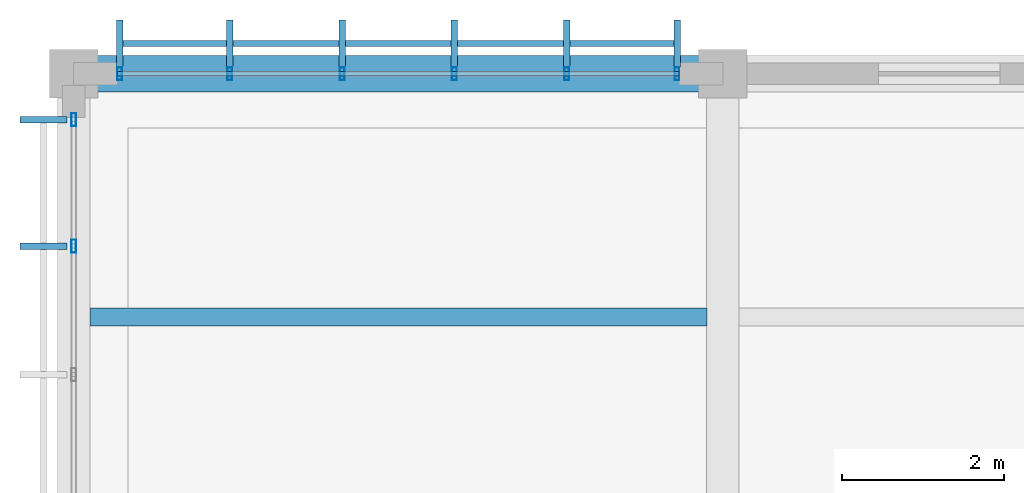
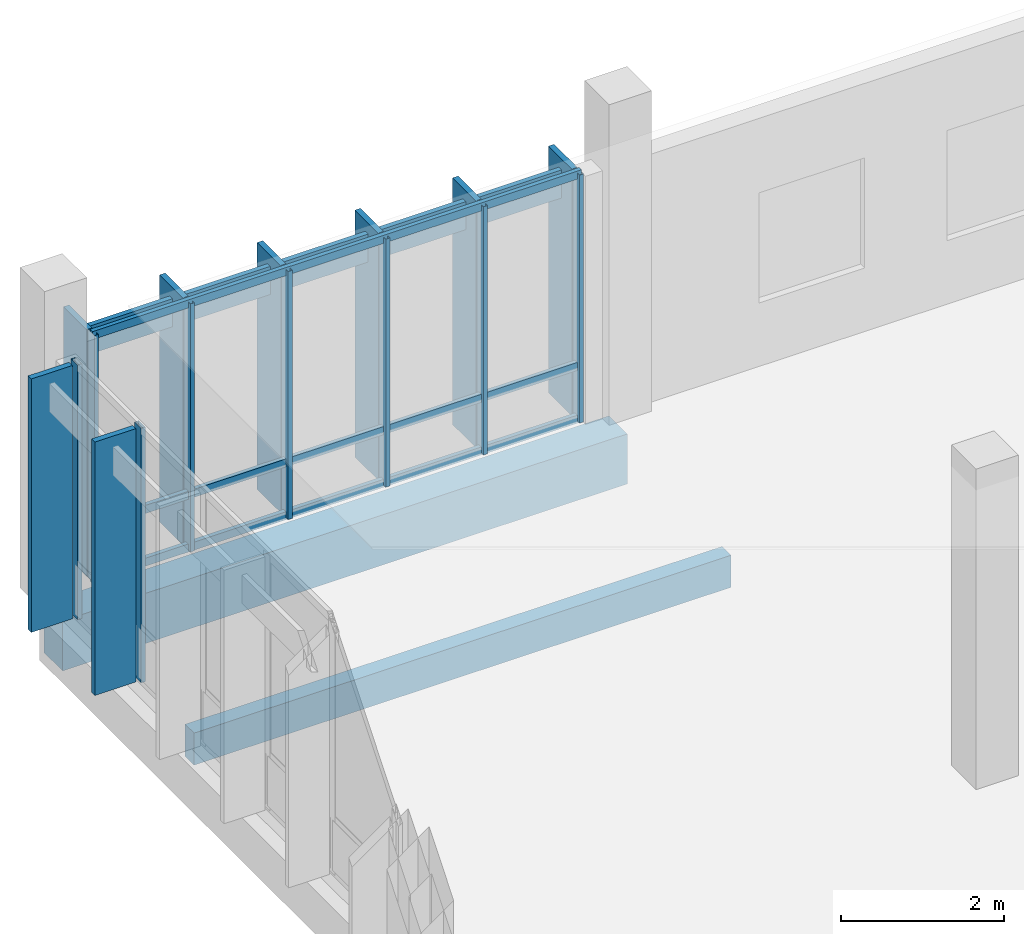
# One storey, part 117 of 177: 20 members, 2 beams, 2 elements without a shape of their own.
"""IFC4 building model written with IfcOpenShell, lengths in metres."""

from ifc_helpers import new_model, si_unit, direction, frame, origin, origin_2d, place, context, subcontext, project, spatial, rectangle, hollow_rectangle, extrude, material, material_profile, profile_set, type_object, element, aggregate, save


model = new_model("IFC4")

# Units and contexts
model_context = context("Model", 3, precision=1e-05, world=origin(), true_north=direction((0.0, 1.0)))
body_context = subcontext(model_context, "Body", "Model", "MODEL_VIEW")
ifc_project = project(units=[si_unit("LENGTHUNIT", "METRE"), si_unit("AREAUNIT", "SQUARE_METRE"), si_unit("VOLUMEUNIT", "CUBIC_METRE"), si_unit("PLANEANGLEUNIT", "RADIAN"), si_unit("MASSUNIT", "GRAM", prefix="KILO")], contexts=[model_context])

# Site, building, storey
site_placement = place(None, origin())
site = spatial("IfcSite", under=ifc_project, at=site_placement, CompositionType="ELEMENT")
building_placement = place(site_placement, origin())
building = spatial("IfcBuilding", under=site, at=building_placement, Name="Chiffa Square Polytechnic", CompositionType="ELEMENT")
storey_placement = place(building_placement, frame((0.0, 0.0, 4.800048828125)))
storey = spatial("IfcBuildingStorey", under=building, at=storey_placement, Name="L01", CompositionType="ELEMENT", Elevation=4.800048828125)

# Beam
ifc_material_1 = material(Name="Concrete C35/45", Category="concrete")
ifc_material_profile_1 = material_profile(ifc_material_1, rectangle(XDim=0.449951171875, YDim=0.75, at=origin_2d()), Name="RC 450x750")
ifc_profile_set_1 = profile_set([ifc_material_profile_1], Name="Concrete C35/45")
beam_type_1 = type_object("IfcBeamType", Name="BM-RC-450X750", PredefinedType="BEAM", material=ifc_profile_set_1)
beam_1_placement = place(storey_placement, frame((0.0, 130.800048828125, -0.655029296875), z_axis=(1.0, 0.0, 0.0), x_axis=(0.0, 1.0, 0.0)))
element("IfcBeam", 1, at=beam_1_placement, inside=storey, type_object=beam_type_1, Name="Primary floor girder BM-V5-L01-X-0000-1308", PredefinedType="BEAM", context=body_context, shape_type="SweptSolid", body=[
    extrude(rectangle(XDim=0.449951171875, YDim=0.75, at=origin_2d()), origin(), (0.0, 0.0, 1.0), 8.0),
])

# Curtain wall, members
ifc_material_2 = material(Name="Aluminium EN AW-6060 T66 and glulam shading", Category="wood")
curtain_wall_type_1 = type_object("IfcCurtainWallType", Name="CW-VERT-450X380", PredefinedType="USERDEFINED", material=ifc_material_2)
curtain_wall_1_placement = place(storey_placement, origin())
curtain_wall_1 = element("IfcCurtainWall", 2, at=curtain_wall_1_placement, inside=storey, type_object=curtain_wall_type_1, Name="Curtain wall CW-V5-L01-210", ObjectType="CURTAIN WALL", PredefinedType="USERDEFINED")
ifc_material_3 = material(Name="Aluminium EN AW-6060 T66", Category="aluminium")
ifc_material_profile_2 = material_profile(ifc_material_3, hollow_rectangle(XDim=0.06005859375, YDim=0.159912109375, WallThickness=0.00390625, at=origin_2d()), Name="ALU 60x160x4")
ifc_profile_set_2 = profile_set([ifc_material_profile_2], Name="Aluminium EN AW-6060 T66")
member_type_1 = type_object("IfcMemberType", Name="CWM-ALU-65X150", PredefinedType="MULLION", material=ifc_profile_set_2)
member_1_placement = place(storey_placement, frame((7.43505859375, 130.800048828125, 0.0), z_axis=(0.0, 0.0, 1.0), x_axis=(1.0, 0.0, 0.0)))
member_1 = element("IfcMember", 3, at=member_1_placement, type_object=member_type_1, Name="Curtain wall mullion CW-V5-L01-210-M00", PredefinedType="MULLION", context=body_context, shape_type="SweptSolid", body=[
    extrude(hollow_rectangle(XDim=0.06005859375, YDim=0.159912109375, WallThickness=0.00390625, at=origin_2d()), origin(), (0.0, 0.0, 1.0), 3.71484375),
])
member_2_placement = place(storey_placement, frame((6.075927734375, 130.800048828125, 0.0), z_axis=(0.0, 0.0, 1.0), x_axis=(1.0, 0.0, 0.0)))
member_2 = element("IfcMember", 4, at=member_2_placement, type_object=member_type_1, Name="Curtain wall mullion CW-V5-L01-210-M01", PredefinedType="MULLION", context=body_context, shape_type="SweptSolid", body=[
    extrude(hollow_rectangle(XDim=0.06005859375, YDim=0.159912109375, WallThickness=0.00390625, at=origin_2d()), origin(), (0.0, 0.0, 1.0), 3.71484375),
])
member_3_placement = place(storey_placement, frame((4.69189453125, 130.800048828125, 0.0), z_axis=(0.0, 0.0, 1.0), x_axis=(1.0, 0.0, 0.0)))
member_3 = element("IfcMember", 5, at=member_3_placement, type_object=member_type_1, Name="Curtain wall mullion CW-V5-L01-210-M02", PredefinedType="MULLION", context=body_context, shape_type="SweptSolid", body=[
    extrude(hollow_rectangle(XDim=0.06005859375, YDim=0.159912109375, WallThickness=0.00390625, at=origin_2d()), origin(), (0.0, 0.0, 1.0), 3.71484375),
])
member_4_placement = place(storey_placement, frame((3.30810546875, 130.800048828125, 0.0), z_axis=(0.0, 0.0, 1.0), x_axis=(1.0, 0.0, 0.0)))
member_4 = element("IfcMember", 6, at=member_4_placement, type_object=member_type_1, Name="Curtain wall mullion CW-V5-L01-210-M03", PredefinedType="MULLION", context=body_context, shape_type="SweptSolid", body=[
    extrude(hollow_rectangle(XDim=0.06005859375, YDim=0.159912109375, WallThickness=0.00390625, at=origin_2d()), origin(), (0.0, 0.0, 1.0), 3.71484375),
])
member_5_placement = place(storey_placement, frame((1.924072265625, 130.800048828125, 0.0), z_axis=(0.0, 0.0, 1.0), x_axis=(1.0, 0.0, 0.0)))
member_5 = element("IfcMember", 7, at=member_5_placement, type_object=member_type_1, Name="Curtain wall mullion CW-V5-L01-210-M04", PredefinedType="MULLION", context=body_context, shape_type="SweptSolid", body=[
    extrude(hollow_rectangle(XDim=0.06005859375, YDim=0.159912109375, WallThickness=0.00390625, at=origin_2d()), origin(), (0.0, 0.0, 1.0), 3.71484375),
])
member_6_placement = place(storey_placement, frame((0.56494140625, 130.800048828125, 0.0), z_axis=(0.0, 0.0, 1.0), x_axis=(1.0, 0.0, 0.0)))
member_6 = element("IfcMember", 8, at=member_6_placement, type_object=member_type_1, Name="Curtain wall mullion CW-V5-L01-210-M05", PredefinedType="MULLION", context=body_context, shape_type="SweptSolid", body=[
    extrude(hollow_rectangle(XDim=0.06005859375, YDim=0.159912109375, WallThickness=0.00390625, at=origin_2d()), origin(), (0.0, 0.0, 1.0), 3.71484375),
])

curtain_wall_type_2 = type_object("IfcCurtainWallType", Name="CW-VERT-300X380", PredefinedType="USERDEFINED", material=ifc_material_2)
curtain_wall_2_placement = place(storey_placement, origin())
curtain_wall_2 = element("IfcCurtainWall", 9, at=curtain_wall_2_placement, inside=storey, type_object=curtain_wall_type_2, Name="Curtain wall CW-V5-L01-211", ObjectType="CURTAIN WALL", PredefinedType="USERDEFINED")
member_7_placement = place(storey_placement, frame((0.0, 130.235107421875, 0.0), z_axis=(0.0, 0.0, 1.0), x_axis=(1.0, 0.0, 0.0)))
member_7 = element("IfcMember", 10, at=member_7_placement, type_object=member_type_1, Name="Curtain wall mullion CW-V5-L01-211-M00", PredefinedType="MULLION", context=body_context, shape_type="SweptSolid", body=[
    extrude(hollow_rectangle(XDim=0.06005859375, YDim=0.159912109375, WallThickness=0.00390625, at=origin_2d()), origin(), (0.0, 0.0, 1.0), 3.81494140625),
])
member_8_placement = place(storey_placement, frame((0.0, 128.676025390625, 0.0), z_axis=(0.0, 0.0, 1.0), x_axis=(1.0, 0.0, 0.0)))
member_8 = element("IfcMember", 11, at=member_8_placement, type_object=member_type_1, Name="Curtain wall mullion CW-V5-L01-211-M01", PredefinedType="MULLION", context=body_context, shape_type="SweptSolid", body=[
    extrude(hollow_rectangle(XDim=0.06005859375, YDim=0.159912109375, WallThickness=0.00390625, at=origin_2d()), origin(), (0.0, 0.0, 1.0), 3.81494140625),
])

# Member
ifc_material_4 = material(Name="Glulam GL28h", Category="wood")
ifc_material_profile_3 = material_profile(ifc_material_4, rectangle(XDim=0.080078125, YDim=0.580078125, at=origin_2d()), Name="GL28h 80x580")
ifc_profile_set_3 = profile_set([ifc_material_profile_3], Name="Glulam GL28h")
member_type_2 = type_object("IfcMemberType", Name="CWM-GL-80X580", PredefinedType="MULLION", material=ifc_profile_set_3)
member_9_placement = place(storey_placement, frame((7.43505859375, 131.172119140625, 0.010009765625), z_axis=(0.0, 0.0, 1.0), x_axis=(-1.0, 0.0, 0.0)))
member_9 = element("IfcMember", 12, at=member_9_placement, type_object=member_type_2, Name="Exterior glulam solar fin CW-V5-L01-210-FN00", PredefinedType="MULLION", context=body_context, shape_type="SweptSolid", body=[
    extrude(rectangle(XDim=0.080078125, YDim=0.580078125, at=origin_2d()), origin(), (0.0, 0.0, 1.0), 3.69482421875),
])

member_10_placement = place(storey_placement, frame((6.075927734375, 131.172119140625, 0.010009765625), z_axis=(0.0, 0.0, 1.0), x_axis=(-1.0, 0.0, 0.0)))
member_10 = element("IfcMember", 13, at=member_10_placement, type_object=member_type_2, Name="Exterior glulam solar fin CW-V5-L01-210-FN01", PredefinedType="MULLION", context=body_context, shape_type="SweptSolid", body=[
    extrude(rectangle(XDim=0.080078125, YDim=0.580078125, at=origin_2d()), origin(), (0.0, 0.0, 1.0), 3.69482421875),
])

member_11_placement = place(storey_placement, frame((4.69189453125, 131.172119140625, 0.010009765625), z_axis=(0.0, 0.0, 1.0), x_axis=(-1.0, 0.0, 0.0)))
member_11 = element("IfcMember", 14, at=member_11_placement, type_object=member_type_2, Name="Exterior glulam solar fin CW-V5-L01-210-FN02", PredefinedType="MULLION", context=body_context, shape_type="SweptSolid", body=[
    extrude(rectangle(XDim=0.080078125, YDim=0.580078125, at=origin_2d()), origin(), (0.0, 0.0, 1.0), 3.69482421875),
])

member_12_placement = place(storey_placement, frame((3.30810546875, 131.172119140625, 0.010009765625), z_axis=(0.0, 0.0, 1.0), x_axis=(-1.0, 0.0, 0.0)))
member_12 = element("IfcMember", 15, at=member_12_placement, type_object=member_type_2, Name="Exterior glulam solar fin CW-V5-L01-210-FN03", PredefinedType="MULLION", context=body_context, shape_type="SweptSolid", body=[
    extrude(rectangle(XDim=0.080078125, YDim=0.580078125, at=origin_2d()), origin(), (0.0, 0.0, 1.0), 3.69482421875),
])

member_13_placement = place(storey_placement, frame((1.924072265625, 131.172119140625, 0.010009765625), z_axis=(0.0, 0.0, 1.0), x_axis=(-1.0, 0.0, 0.0)))
member_13 = element("IfcMember", 16, at=member_13_placement, type_object=member_type_2, Name="Exterior glulam solar fin CW-V5-L01-210-FN04", PredefinedType="MULLION", context=body_context, shape_type="SweptSolid", body=[
    extrude(rectangle(XDim=0.080078125, YDim=0.580078125, at=origin_2d()), origin(), (0.0, 0.0, 1.0), 3.69482421875),
])

member_14_placement = place(storey_placement, frame((0.56494140625, 131.172119140625, 0.010009765625), z_axis=(0.0, 0.0, 1.0), x_axis=(-1.0, 0.0, 0.0)))
member_14 = element("IfcMember", 17, at=member_14_placement, type_object=member_type_2, Name="Exterior glulam solar fin CW-V5-L01-210-FN05", PredefinedType="MULLION", context=body_context, shape_type="SweptSolid", body=[
    extrude(rectangle(XDim=0.080078125, YDim=0.580078125, at=origin_2d()), origin(), (0.0, 0.0, 1.0), 3.69482421875),
])

member_15_placement = place(storey_placement, frame((-0.3720703125, 130.235107421875, 0.010009765625), z_axis=(0.0, 0.0, 1.0), x_axis=(0.0, -1.0, 0.0)))
member_15 = element("IfcMember", 18, at=member_15_placement, type_object=member_type_2, Name="Exterior glulam solar fin CW-V5-L01-211-FN00", PredefinedType="MULLION", context=body_context, shape_type="SweptSolid", body=[
    extrude(rectangle(XDim=0.080078125, YDim=0.580078125, at=origin_2d()), origin(), (0.0, 0.0, 1.0), 3.794921875),
])

member_16_placement = place(storey_placement, frame((-0.3720703125, 128.676025390625, 0.010009765625), z_axis=(0.0, 0.0, 1.0), x_axis=(0.0, -1.0, 0.0)))
member_16 = element("IfcMember", 19, at=member_16_placement, type_object=member_type_2, Name="Exterior glulam solar fin CW-V5-L01-211-FN01", PredefinedType="MULLION", context=body_context, shape_type="SweptSolid", body=[
    extrude(rectangle(XDim=0.080078125, YDim=0.580078125, at=origin_2d()), origin(), (0.0, 0.0, 1.0), 3.794921875),
])

aggregate(curtain_wall_2, [member_7, member_15, member_8, member_16])

ifc_material_profile_4 = material_profile(ifc_material_3, hollow_rectangle(XDim=0.06005859375, YDim=0.1201171875, WallThickness=0.00390625, at=origin_2d()), Name="ALU 60x120x4")
ifc_profile_set_4 = profile_set([ifc_material_profile_4], Name="Aluminium EN AW-6060 T66")
member_type_3 = type_object("IfcMemberType", Name="CWT-ALU-65X120", PredefinedType="USERDEFINED", material=ifc_profile_set_4)
member_17_placement = place(storey_placement, frame((7.4619140625, 130.800048828125, 0.030029296875), z_axis=(-1.0, 0.0, 0.0), x_axis=(0.0, -1.0, 0.0)))
member_17 = element("IfcMember", 20, at=member_17_placement, type_object=member_type_3, Name="Curtain wall transom CW-V5-L01-210-T01", ObjectType="TRANSOM", PredefinedType="USERDEFINED", context=body_context, shape_type="SweptSolid", body=[
    extrude(hollow_rectangle(XDim=0.06005859375, YDim=0.1201171875, WallThickness=0.00390625, at=origin_2d()), origin(), (0.0, 0.0, 1.0), 6.923828125),
])

member_18_placement = place(storey_placement, frame((7.4619140625, 130.800048828125, 0.820068359375), z_axis=(-1.0, 0.0, 0.0), x_axis=(0.0, -1.0, 0.0)))
member_18 = element("IfcMember", 21, at=member_18_placement, type_object=member_type_3, Name="Curtain wall transom CW-V5-L01-210-T02", ObjectType="TRANSOM", PredefinedType="USERDEFINED", context=body_context, shape_type="SweptSolid", body=[
    extrude(hollow_rectangle(XDim=0.06005859375, YDim=0.1201171875, WallThickness=0.00390625, at=origin_2d()), origin(), (0.0, 0.0, 1.0), 6.923828125),
])

member_19_placement = place(storey_placement, frame((7.4619140625, 130.800048828125, 3.68505859375), z_axis=(-1.0, 0.0, 0.0), x_axis=(0.0, -1.0, 0.0)))
member_19 = element("IfcMember", 22, at=member_19_placement, type_object=member_type_3, Name="Curtain wall transom CW-V5-L01-210-T03", ObjectType="TRANSOM", PredefinedType="USERDEFINED", context=body_context, shape_type="SweptSolid", body=[
    extrude(hollow_rectangle(XDim=0.06005859375, YDim=0.1201171875, WallThickness=0.00390625, at=origin_2d()), origin(), (0.0, 0.0, 1.0), 6.923828125),
])

ifc_material_profile_5 = material_profile(ifc_material_4, rectangle(XDim=0.070068359375, YDim=0.419921875, at=origin_2d()), Name="GL28h 70x420")
ifc_profile_set_5 = profile_set([ifc_material_profile_5], Name="Glulam GL28h")
member_type_4 = type_object("IfcMemberType", Name="CWT-GL-70X420", PredefinedType="USERDEFINED", material=ifc_profile_set_5)
member_20_placement = place(storey_placement, frame((7.43505859375, 131.172119140625, 3.3349609375), z_axis=(-1.0, 0.0, 0.0), x_axis=(0.0, -1.0, 0.0)))
member_20 = element("IfcMember", 23, at=member_20_placement, type_object=member_type_4, Name="Exterior glulam brise-soleil CW-V5-L01-210-BS01", ObjectType="TRANSOM", PredefinedType="USERDEFINED", context=body_context, shape_type="SweptSolid", body=[
    extrude(rectangle(XDim=0.070068359375, YDim=0.419921875, at=origin_2d()), origin(), (0.0, 0.0, 1.0), 6.8701171875),
])

aggregate(curtain_wall_1, [member_1, member_9, member_2, member_10, member_3, member_11, member_4, member_12, member_5, member_13, member_6, member_14, member_17, member_18, member_19, member_20])

# Beam
ifc_material_profile_6 = material_profile(ifc_material_4, rectangle(XDim=0.219970703125, YDim=0.47998046875, at=origin_2d()), Name="GL28h 220x480")
ifc_profile_set_6 = profile_set([ifc_material_profile_6], Name="Glulam GL28h")
beam_type_2 = type_object("IfcBeamType", Name="JST-GL-220X480", PredefinedType="JOIST", material=ifc_profile_set_6)
beam_2_placement = place(storey_placement, frame((0.197998046875, 127.800048828125, -0.52001953125), z_axis=(1.0, 0.0, 0.0), x_axis=(0.0, 1.0, 0.0)))
element("IfcBeam", 24, at=beam_2_placement, inside=storey, type_object=beam_type_2, Name="Secondary floor joist JST-V5-L01-0000-1278", PredefinedType="JOIST", context=body_context, shape_type="SweptSolid", body=[
    extrude(rectangle(XDim=0.219970703125, YDim=0.47998046875, at=origin_2d()), origin(), (0.0, 0.0, 1.0), 7.60400390625),
])

save(model, "model.ifc")
